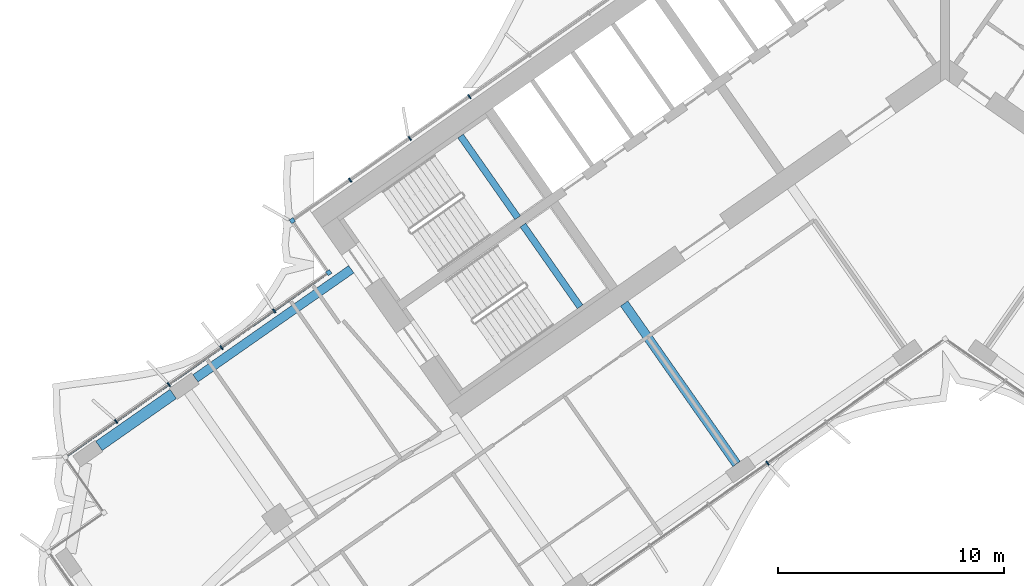
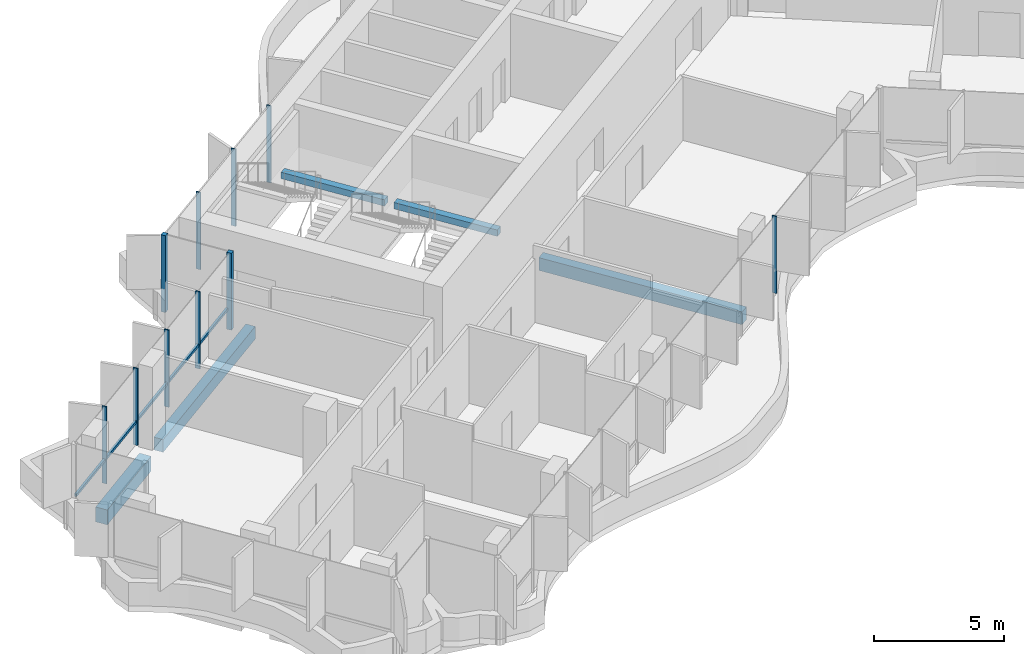
# One storey, part 4 of 21: 11 members, 5 beams, 2 elements without a shape of their own.
"""IFC4 building model written with IfcOpenShell, lengths in metres."""

from ifc_helpers import new_model, si_unit, direction, frame, origin, origin_2d, place, context, subcontext, project, spatial, rectangle, extrude, material, material_profile, profile_set, type_object, element, aggregate, save


model = new_model("IFC4")

# Units and contexts
model_context = context("Model", 3, precision=1e-05, world=origin(), true_north=direction((0.0, 1.0)))
body_context = subcontext(model_context, "Body", "Model", "MODEL_VIEW")
ifc_project = project(units=[si_unit("LENGTHUNIT", "METRE"), si_unit("AREAUNIT", "SQUARE_METRE"), si_unit("VOLUMEUNIT", "CUBIC_METRE"), si_unit("PLANEANGLEUNIT", "RADIAN"), si_unit("MASSUNIT", "GRAM", prefix="KILO")], contexts=[model_context])

# Site, building, storey
site_placement = place(None, origin())
site = spatial("IfcSite", under=ifc_project, at=site_placement, CompositionType="ELEMENT")
building_placement = place(site_placement, origin())
building = spatial("IfcBuilding", under=site, at=building_placement, Name="Tel Ilan Convention Tower", CompositionType="ELEMENT")
storey_placement = place(building_placement, frame((0.0, 0.0, 139.800048828125)))
storey = spatial("IfcBuildingStorey", under=building, at=storey_placement, Name="L31", CompositionType="ELEMENT", Elevation=139.800048828125)

# Beams
ifc_material_1 = material(Name="Concrete C40/50", Category="concrete")
ifc_material_profile_1 = material_profile(ifc_material_1, rectangle(XDim=0.39990234375, YDim=0.60009765625, at=origin_2d()), Name="RC 400x600")
ifc_profile_set_1 = profile_set([ifc_material_profile_1], Name="Concrete C40/50")
beam_type_1 = type_object("IfcBeamType", Name="Beam RC 400x600 Concrete C40/50", PredefinedType="BEAM", material=ifc_profile_set_1)
beam_1_placement = place(storey_placement, frame((-33.09912109375, -14.44775390625, -0.580078125), z_axis=(0.819147254605, 0.573583276668, 0.0), x_axis=(-0.573583276668, 0.819147254605, 0.0)))
element("IfcBeam", 1, at=beam_1_placement, inside=storey, type_object=beam_type_1, Name="L31 beam W-W-B4-core", PredefinedType="BEAM", context=body_context, shape_type="SweptSolid", body=[
    extrude(rectangle(XDim=0.39990234375, YDim=0.60009765625, at=origin_2d()), origin(), (0.0, 0.0, 1.0), 8.400146484375),
])
beam_2_placement = place(storey_placement, frame((-9.209716796875, -18.229248046875, -0.580078125), z_axis=(-0.573574099654, 0.819153680457, 0.0), x_axis=(-0.819153680457, -0.573574099654, 0.0)))
element("IfcBeam", 2, at=beam_2_placement, inside=storey, type_object=beam_type_1, Name="L31 beam W-W-F2-core", PredefinedType="BEAM", context=body_context, shape_type="SweptSolid", body=[
    extrude(rectangle(XDim=0.39990234375, YDim=0.60009765625, at=origin_2d()), origin(), (0.0, 0.0, 1.0), 8.64990234375),
])
ifc_material_2 = material(Name="Concrete C40/50", Category="concrete")
ifc_material_profile_2 = material_profile(ifc_material_2, rectangle(XDim=0.5, YDim=0.699951171875, at=origin_2d()), Name="RC 500x700")
ifc_profile_set_2 = profile_set([ifc_material_profile_2], Name="Concrete C40/50")
beam_type_2 = type_object("IfcBeamType", Name="Beam RC 500x700 Concrete C40/50", PredefinedType="BEAM", material=ifc_profile_set_2)
beam_3_placement = place(storey_placement, frame((-37.358642578125, -17.430419921875, -0.630126953125), z_axis=(0.819137286189, 0.573597512525, 0.0), x_axis=(-0.573597512525, 0.819137286189, 0.0)))
element("IfcBeam", 3, at=beam_3_placement, inside=storey, type_object=beam_type_2, Name="L31 beam W-W-BC-W-B4", PredefinedType="BEAM", context=body_context, shape_type="SweptSolid", body=[
    extrude(rectangle(XDim=0.5, YDim=0.699951171875, at=origin_2d()), origin(), (0.0, 0.0, 1.0), 4.0),
])

# Curtain wall, members
ifc_material_3 = material(Name="Aluminium, bronze anodised", Category="aluminium")
curtain_wall_type_1 = type_object("IfcCurtainWallType", Name="CW2 STICK CURTAIN WALL, SPANDREL PANELS", PredefinedType="NOTDEFINED", material=ifc_material_3)
curtain_wall_1_placement = place(storey_placement, origin())
curtain_wall_1 = element("IfcCurtainWall", 4, at=curtain_wall_1_placement, inside=storey, type_object=curtain_wall_type_1, Name="Curtain wall CW2-25.01", PredefinedType="NOTDEFINED")
ifc_material_4 = material(Name="Aluminium, bronze anodised", Category="aluminium")
ifc_material_profile_3 = material_profile(ifc_material_4, rectangle(XDim=0.199951171875, YDim=0.199951171875, at=origin_2d()), Name="CW CORNER MULLION 200x200")
ifc_profile_set_3 = profile_set([ifc_material_profile_3], Name="Aluminium, bronze anodised")
member_type_1 = type_object("IfcMemberType", Name="CW CORNER MULLION 200x200", PredefinedType="MULLION", material=ifc_profile_set_3)
member_1_placement = place(storey_placement, frame((-28.819580078125, -7.483642578125, 0.0), z_axis=(0.0, 0.0, 1.0), x_axis=(-0.819152044289, -0.573576436351, 0.0)))
member_1 = element("IfcMember", 5, at=member_1_placement, type_object=member_type_1, Name="Corner mullion", PredefinedType="MULLION", context=body_context, shape_type="SweptSolid", body=[
    extrude(rectangle(XDim=0.199951171875, YDim=0.199951171875, at=origin_2d()), origin(), (0.0, 0.0, 1.0), 3.619873046875),
])
member_2_placement = place(storey_placement, frame((-27.213623046875, -9.77734375, 0.0), z_axis=(0.0, 0.0, 1.0), x_axis=(0.573576436351, -0.819152044289, 0.0)))
member_2 = element("IfcMember", 6, at=member_2_placement, type_object=member_type_1, Name="Corner mullion", PredefinedType="MULLION", context=body_context, shape_type="SweptSolid", body=[
    extrude(rectangle(XDim=0.199951171875, YDim=0.199951171875, at=origin_2d()), origin(), (0.0, 0.0, 1.0), 3.619873046875),
])
ifc_material_5 = material(Name="Aluminium, bronze anodised", Category="aluminium")
ifc_material_profile_4 = material_profile(ifc_material_5, rectangle(XDim=0.06005859375, YDim=0.199951171875, at=origin_2d()), Name="CW MULLION 60x200")
ifc_profile_set_4 = profile_set([ifc_material_profile_4], Name="Aluminium, bronze anodised")
member_type_2 = type_object("IfcMemberType", Name="CW MULLION 60x200", PredefinedType="MULLION", material=ifc_profile_set_4)
member_3_placement = place(storey_placement, frame((-21.003662109375, -2.0107421875, 0.0), z_axis=(0.0, 0.0, 1.0), x_axis=(-0.819152044289, -0.573576436351, 0.0)))
member_3 = element("IfcMember", 7, at=member_3_placement, type_object=member_type_2, Name="Mullion", PredefinedType="MULLION", context=body_context, shape_type="SweptSolid", body=[
    extrude(rectangle(XDim=0.06005859375, YDim=0.199951171875, at=origin_2d()), origin(), (0.0, 0.0, 1.0), 3.619873046875),
])
member_4_placement = place(storey_placement, frame((-23.63623046875, -3.854248046875, 0.0), z_axis=(0.0, 0.0, 1.0), x_axis=(-0.819152044289, -0.573576436351, 0.0)))
member_4 = element("IfcMember", 8, at=member_4_placement, type_object=member_type_2, Name="Mullion", PredefinedType="MULLION", context=body_context, shape_type="SweptSolid", body=[
    extrude(rectangle(XDim=0.06005859375, YDim=0.199951171875, at=origin_2d()), origin(), (0.0, 0.0, 1.0), 3.619873046875),
])
member_5_placement = place(storey_placement, frame((-26.268798828125, -5.697509765625, 0.0), z_axis=(0.0, 0.0, 1.0), x_axis=(-0.819152044289, -0.573576436351, 0.0)))
member_5 = element("IfcMember", 9, at=member_5_placement, type_object=member_type_2, Name="Mullion", PredefinedType="MULLION", context=body_context, shape_type="SweptSolid", body=[
    extrude(rectangle(XDim=0.06005859375, YDim=0.199951171875, at=origin_2d()), origin(), (0.0, 0.0, 1.0), 3.619873046875),
])
aggregate(curtain_wall_1, [member_3, member_4, member_5, member_1, member_2])

ifc_material_6 = material(Name="Aluminium, bronze anodised", Category="aluminium")
curtain_wall_type_2 = type_object("IfcCurtainWallType", Name="CW4 STICK CURTAIN WALL, OFFICE TINTED GLASS", PredefinedType="NOTDEFINED", material=ifc_material_6)
curtain_wall_2_placement = place(storey_placement, origin())
curtain_wall_2 = element("IfcCurtainWall", 10, at=curtain_wall_2_placement, inside=storey, type_object=curtain_wall_type_2, Name="Curtain wall CW4-25.02", PredefinedType="NOTDEFINED")
member_6_placement = place(storey_placement, frame((-29.621826171875, -11.463623046875, 0.0), z_axis=(0.0, 0.0, 1.0), x_axis=(-0.819152044289, -0.573576436351, 0.0)))
member_6 = element("IfcMember", 11, at=member_6_placement, type_object=member_type_2, Name="Mullion", PredefinedType="MULLION", context=body_context, shape_type="SweptSolid", body=[
    extrude(rectangle(XDim=0.06005859375, YDim=0.199951171875, at=origin_2d()), origin(), (0.0, 0.0, 1.0), 3.619873046875),
])
member_7_placement = place(storey_placement, frame((-31.9482421875, -13.092529296875, 0.0), z_axis=(0.0, 0.0, 1.0), x_axis=(-0.819152044289, -0.573576436351, 0.0)))
member_7 = element("IfcMember", 12, at=member_7_placement, type_object=member_type_2, Name="Mullion", PredefinedType="MULLION", context=body_context, shape_type="SweptSolid", body=[
    extrude(rectangle(XDim=0.06005859375, YDim=0.199951171875, at=origin_2d()), origin(), (0.0, 0.0, 1.0), 3.619873046875),
])
member_8_placement = place(storey_placement, frame((-34.274658203125, -14.721435546875, 0.0), z_axis=(0.0, 0.0, 1.0), x_axis=(-0.819152044289, -0.573576436351, 0.0)))
member_8 = element("IfcMember", 13, at=member_8_placement, type_object=member_type_2, Name="Mullion", PredefinedType="MULLION", context=body_context, shape_type="SweptSolid", body=[
    extrude(rectangle(XDim=0.06005859375, YDim=0.199951171875, at=origin_2d()), origin(), (0.0, 0.0, 1.0), 3.619873046875),
])
member_9_placement = place(storey_placement, frame((-36.60107421875, -16.350341796875, 0.0), z_axis=(0.0, 0.0, 1.0), x_axis=(-0.819152044289, -0.573576436351, 0.0)))
member_9 = element("IfcMember", 14, at=member_9_placement, type_object=member_type_2, Name="Mullion", PredefinedType="MULLION", context=body_context, shape_type="SweptSolid", body=[
    extrude(rectangle(XDim=0.06005859375, YDim=0.199951171875, at=origin_2d()), origin(), (0.0, 0.0, 1.0), 3.619873046875),
])
member_10_placement = place(storey_placement, frame((-7.842529296875, -18.1875, 0.0), z_axis=(0.0, 0.0, 1.0), x_axis=(0.819152044289, 0.573576436351, 0.0)))
member_10 = element("IfcMember", 15, at=member_10_placement, type_object=member_type_2, Name="Mullion", PredefinedType="MULLION", context=body_context, shape_type="SweptSolid", body=[
    extrude(rectangle(XDim=0.06005859375, YDim=0.199951171875, at=origin_2d()), origin(), (0.0, 0.0, 1.0), 3.619873046875),
])
ifc_material_7 = material(Name="Aluminium, bronze anodised", Category="aluminium")
ifc_material_profile_5 = material_profile(ifc_material_7, rectangle(XDim=0.10009765625, YDim=0.1201171875, at=origin_2d()), Name="CW TRANSOM 100x120")
ifc_profile_set_5 = profile_set([ifc_material_profile_5], Name="Aluminium, bronze anodised")
member_type_3 = type_object("IfcMemberType", Name="CW TRANSOM 100x120", PredefinedType="USERDEFINED", material=ifc_profile_set_5)
member_11_placement = place(storey_placement, frame((-27.459228515625, -9.94921875, 1.099853515625), z_axis=(-0.819149630799, -0.573579883156, 0.0), x_axis=(0.573579883156, -0.819149630799, 0.0)))
member_11 = element("IfcMember", 16, at=member_11_placement, type_object=member_type_3, Name="Transom", ObjectType="TRANSOM", PredefinedType="USERDEFINED", context=body_context, shape_type="SweptSolid", body=[
    extrude(rectangle(XDim=0.10009765625, YDim=0.1201171875, at=origin_2d()), origin(), (0.0, 0.0, 1.0), 13.80029296875),
])
aggregate(curtain_wall_2, [member_6, member_7, member_8, member_9, member_11, member_10])

# Beams
ifc_material_8 = material(Name="Concrete C40/50", Category="concrete")
ifc_material_profile_6 = material_profile(ifc_material_8, rectangle(XDim=0.300048828125, YDim=0.300048828125, at=origin_2d()), Name="RC 300x300")
ifc_profile_set_6 = profile_set([ifc_material_profile_6], Name="Concrete C40/50")
beam_type_3 = type_object("IfcBeamType", Name="Landing Beam RC 300x300 Concrete C40/50", PredefinedType="BEAM", material=ifc_profile_set_6)
beam_4_placement = place(storey_placement, frame((-18.870361328125, -7.353515625, 1.599853515625), z_axis=(-0.57354426506, 0.819174569928, 0.0), x_axis=(-0.819174569928, -0.57354426506, 0.0)))
element("IfcBeam", 17, at=beam_4_placement, inside=storey, type_object=beam_type_3, Name="S1 landing beam L31.1", PredefinedType="BEAM", context=body_context, shape_type="SweptSolid", body=[
    extrude(rectangle(XDim=0.300048828125, YDim=0.300048828125, at=origin_2d()), origin(), (0.0, 0.0, 1.0), 4.400146484375),
])
beam_5_placement = place(storey_placement, frame((-16.1171875, -11.285400390625, 1.599853515625), z_axis=(-0.573570334442, 0.819156316858, 0.0), x_axis=(-0.819156316858, -0.573570334442, 0.0)))
element("IfcBeam", 18, at=beam_5_placement, inside=storey, type_object=beam_type_3, Name="S2 landing beam L31.1", PredefinedType="BEAM", context=body_context, shape_type="SweptSolid", body=[
    extrude(rectangle(XDim=0.300048828125, YDim=0.300048828125, at=origin_2d()), origin(), (0.0, 0.0, 1.0), 4.39990234375),
])

save(model, "model.ifc")
